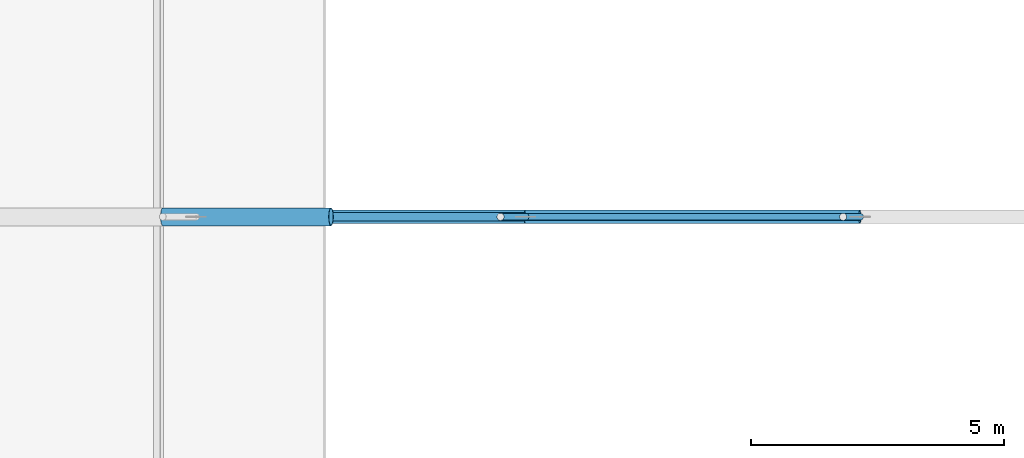
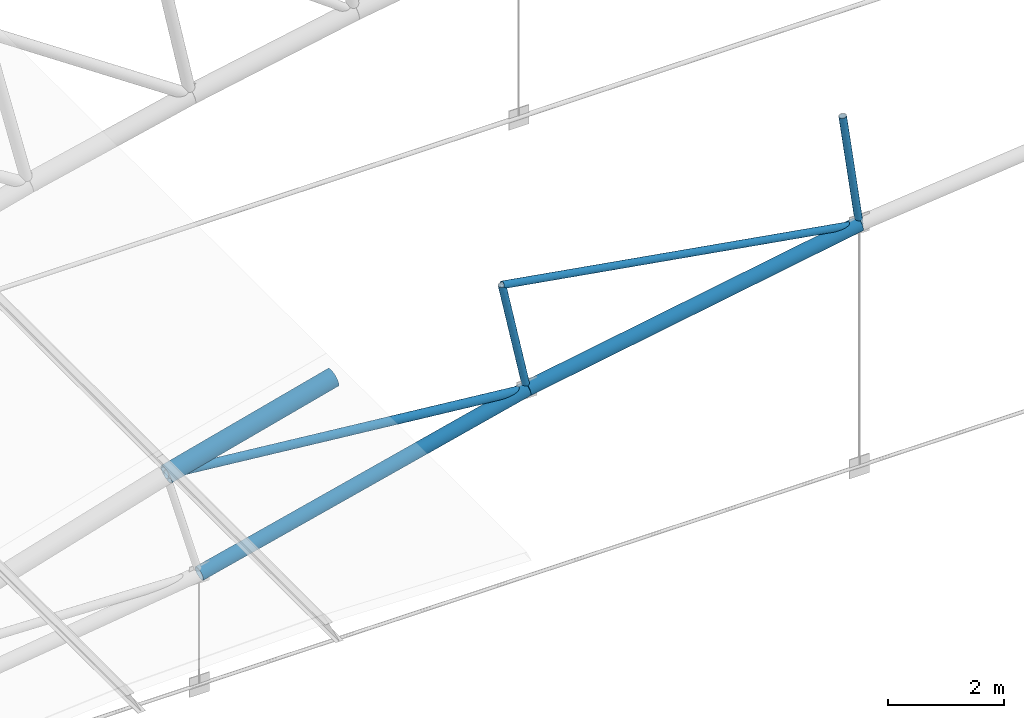
# One storey, part 61 of 321: 7 members.
"""IFC4 building model written with IfcOpenShell, lengths in metres."""

from ifc_helpers import new_model, si_unit, direction, frame, origin, origin_2d, place, context, subcontext, project, spatial, hollow_circle, extrude, material, material_profile, profile_set, type_object, element, save


model = new_model("IFC4")

# Units and contexts
model_context = context("Model", 3, precision=1e-05, world=origin(), true_north=direction((0.0, 1.0)))
body_context = subcontext(model_context, "Body", "Model", "MODEL_VIEW")
ifc_project = project(units=[si_unit("LENGTHUNIT", "METRE"), si_unit("AREAUNIT", "SQUARE_METRE"), si_unit("VOLUMEUNIT", "CUBIC_METRE"), si_unit("PLANEANGLEUNIT", "RADIAN"), si_unit("MASSUNIT", "GRAM", prefix="KILO")], contexts=[model_context])

# Site, building, storey
site_placement = place(None, origin())
site = spatial("IfcSite", under=ifc_project, at=site_placement, CompositionType="ELEMENT")
building_placement = place(site_placement, origin())
building = spatial("IfcBuilding", under=site, at=building_placement, Name="Ravi Spectrum Wholesale Market", CompositionType="ELEMENT")
storey_placement = place(building_placement, frame((0.0, 0.0, 10.800048828125)))
storey = spatial("IfcBuildingStorey", under=building, at=storey_placement, Name="L02", CompositionType="ELEMENT", Elevation=10.800048828125)

# Members
ifc_material_1 = material(Name="Steel S355", Category="steel")
ifc_material_profile_1 = material_profile(ifc_material_1, hollow_circle(Radius=0.06982421875, WallThickness=0.0048828125, at=origin_2d()))
ifc_profile_set_1 = profile_set([ifc_material_profile_1], Name="Steel S355")
member_type_1 = type_object("IfcMemberType", Name="CHS 139.7x5 brace", PredefinedType="BRACE", material=ifc_profile_set_1)
member_1_placement = place(storey_placement, frame((49.55859375, 90.0, 6.30224609375), z_axis=(0.985982518253, 0.0, -0.166848655074), x_axis=(0.0, 1.0, 0.0)))
element("IfcMember", 1, at=member_1_placement, inside=storey, type_object=member_type_1, Name="H1-MB-L02-473", PredefinedType="BRACE", context=body_context, shape_type="SweptSolid", body=[
    extrude(hollow_circle(Radius=0.06982421875, WallThickness=0.0048828125, at=origin_2d()), origin(), (0.0, 0.0, 1.0), 7.1904296875),
])
ifc_material_2 = material(Name="Steel S355", Category="steel")
ifc_material_profile_2 = material_profile(ifc_material_2, hollow_circle(Radius=0.06982421875, WallThickness=0.0048828125, at=origin_2d()))
ifc_profile_set_2 = profile_set([ifc_material_profile_2], Name="Steel S355")
member_type_2 = type_object("IfcMemberType", Name="CHS 139.7x5 post", PredefinedType="POST", material=ifc_profile_set_2)
member_2_placement = place(storey_placement, frame((49.55859375, 90.0, 6.30224609375), z_axis=(0.20547728987, 0.0, -0.978661884078), x_axis=(0.0, 1.0, 0.0)))
element("IfcMember", 2, at=member_2_placement, inside=storey, type_object=member_type_2, Name="H1-MB-L02-462", PredefinedType="POST", context=body_context, shape_type="SweptSolid", body=[
    extrude(hollow_circle(Radius=0.06982421875, WallThickness=0.0048828125, at=origin_2d()), origin(), (0.0, 0.0, 1.0), 2.400146484375),
])
member_3_placement = place(storey_placement, frame((56.318115234375, 90.0, 7.479736328125), z_axis=(0.137532332315, 0.0, -0.990497277921), x_axis=(0.0, 1.0, 0.0)))
element("IfcMember", 3, at=member_3_placement, inside=storey, type_object=member_type_2, Name="H1-MB-L02-463", PredefinedType="POST", context=body_context, shape_type="SweptSolid", body=[
    extrude(hollow_circle(Radius=0.06982421875, WallThickness=0.0048828125, at=origin_2d()), origin(), (0.0, 0.0, 1.0), 2.39990234375),
])
ifc_material_3 = material(Name="Steel S355", Category="steel")
ifc_material_profile_3 = material_profile(ifc_material_3, hollow_circle(Radius=0.084228515625, WallThickness=0.00634765625, at=origin_2d()))
ifc_profile_set_3 = profile_set([ifc_material_profile_3], Name="Steel S355")
member_type_3 = type_object("IfcMemberType", Name="CHS 168.3x6.3 brace", PredefinedType="BRACE", material=ifc_profile_set_3)
member_4_placement = place(storey_placement, frame((42.896240234375, 90.0, 4.661376953125), z_axis=(0.995140525262, 0.0, -0.098464892124), x_axis=(0.0, 1.0, 0.0)))
element("IfcMember", 4, at=member_4_placement, inside=storey, type_object=member_type_3, Name="H1-MB-L02-472", PredefinedType="BRACE", context=body_context, shape_type="SweptSolid", body=[
    extrude(hollow_circle(Radius=0.084228515625, WallThickness=0.00634765625, at=origin_2d()), origin(), (0.0, 0.0, 1.0), 7.1904296875),
])
ifc_material_4 = material(Name="Steel S355", Category="steel")
ifc_material_profile_4 = material_profile(ifc_material_4, hollow_circle(Radius=0.136474609375, WallThickness=0.010009765625, at=origin_2d()))
ifc_profile_set_4 = profile_set([ifc_material_profile_4], Name="Steel S355")
member_type_4 = type_object("IfcMemberType", Name="CHS 273x10 chord", PredefinedType="CHORD", material=ifc_profile_set_4)
for number, where, z_axis, x_axis, name in (
    (5, (43.55029296875, 90.0, 2.35205078125), (0.970981670562, 0.0, 0.23915391578), (0.0, 1.0, 0.0), "H1-MB-L02-450"),
    (6, (50.0517578125, 90.0, 3.953369140625), (0.985162205886, 0.0, 0.171625837489), (0.0, 1.0, 0.0), "H1-MB-L02-451"),
):
    element("IfcMember", number, at=place(storey_placement, frame(where, z_axis=z_axis, x_axis=x_axis)), inside=storey, type_object=member_type_4, Name=name, PredefinedType="CHORD", context=body_context, shape_type="SweptSolid", body=[
        extrude(hollow_circle(Radius=0.136474609375, WallThickness=0.010009765625, at=origin_2d()), origin(), (0.0, 0.0, 1.0), 6.69580078125),
    ])
ifc_material_5 = material(Name="Steel S355", Category="steel")
ifc_material_profile_5 = material_profile(ifc_material_5, hollow_circle(Radius=0.177734375, WallThickness=0.012451171875, at=origin_2d()))
ifc_profile_set_5 = profile_set([ifc_material_profile_5], Name="Steel S355")
member_type_5 = type_object("IfcMemberType", Name="CHS 355.6x12.5 chord", PredefinedType="CHORD", material=ifc_profile_set_5)
member_5_placement = place(storey_placement, frame((42.896240234375, 90.0, 4.661376953125), z_axis=(0.966728003216, 0.0, 0.255806504605), x_axis=(0.0, 1.0, 0.0)))
element("IfcMember", 7, at=member_5_placement, inside=storey, type_object=member_type_5, Name="H1-MB-L02-428", PredefinedType="CHORD", context=body_context, shape_type="SweptSolid", body=[
    extrude(hollow_circle(Radius=0.177734375, WallThickness=0.012451171875, at=origin_2d()), origin(), (0.0, 0.0, 1.0), 3.43115234375),
])

save(model, "model.ifc")
